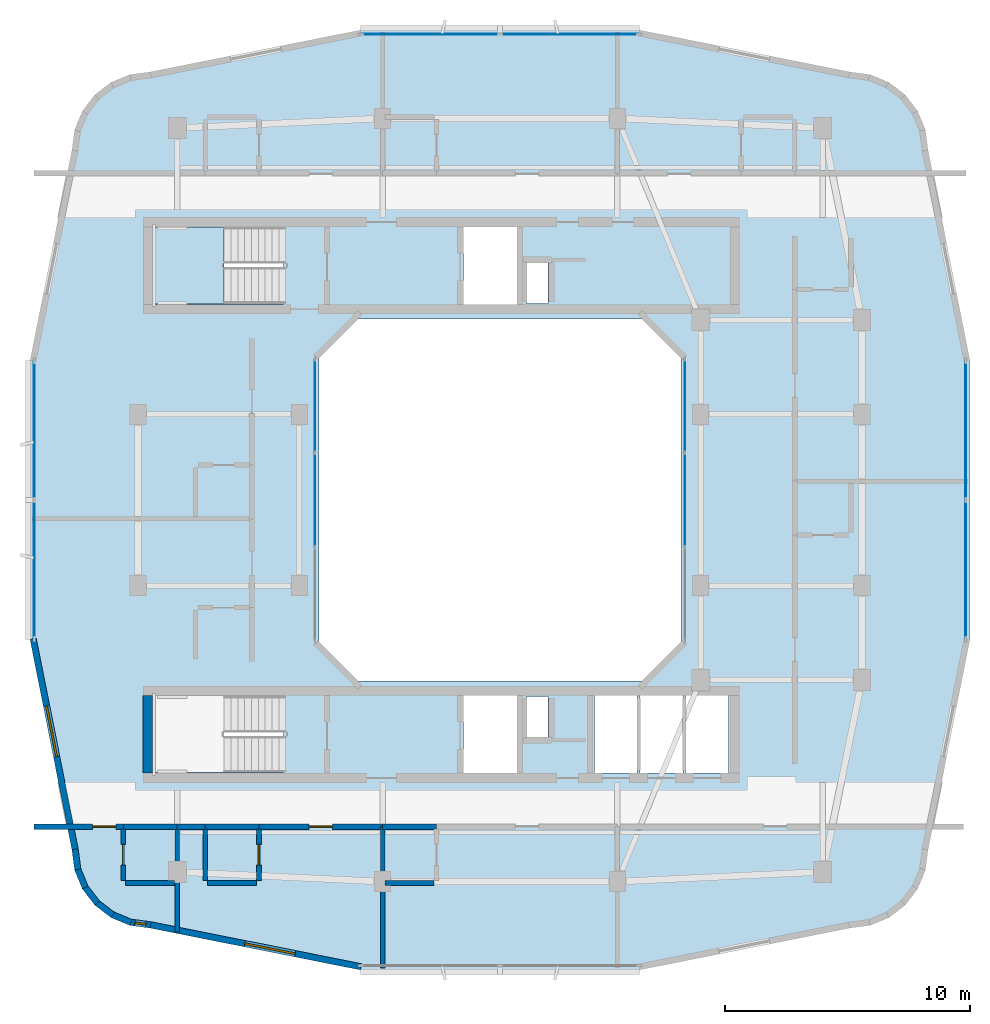
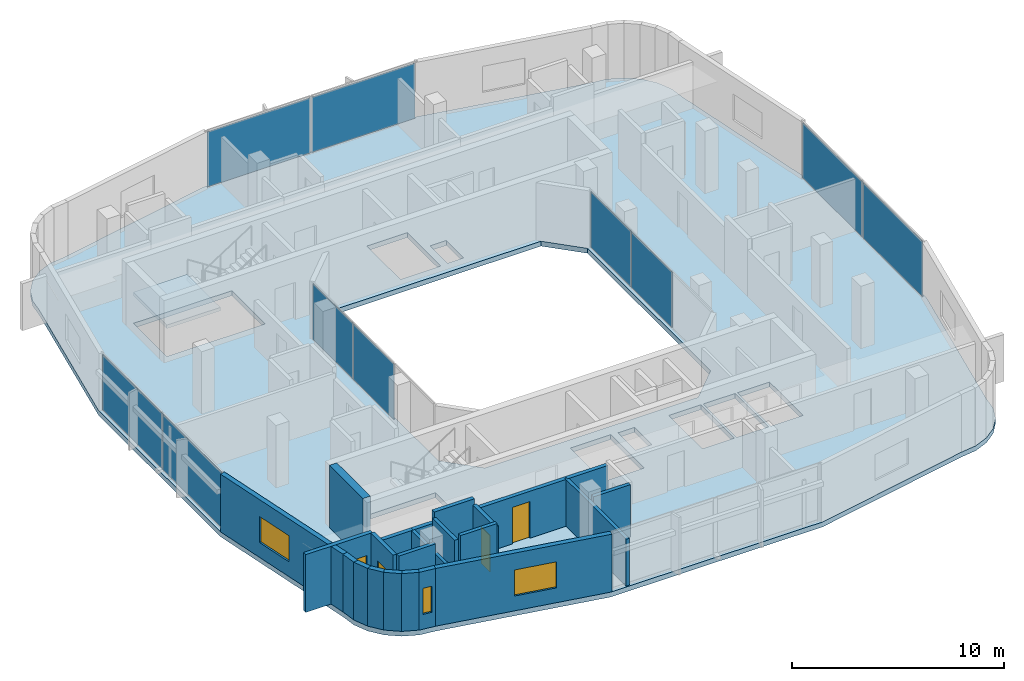
# One storey, part 6 of 14: 23 walls, 10 plates, 4 doors, 3 windows, 2 slabs, 7 openings, 6 elements without a shape of their own.
"""IFC4 building model written with IfcOpenShell, lengths in metres."""

from ifc_helpers import new_model, si_unit, derived_unit, direction, frame, frame_2d, origin, origin_2d, place, context, subcontext, project, spatial, polyline, rectangle, outline, extrude, material, layer, layer_set, type_object, element, fill, aggregate, save


model = new_model("IFC4")

# Units and contexts
model_context = context("Model", 3, precision=1e-05, world=origin(), true_north=direction((0.0, 1.0)))
body_context = subcontext(model_context, "Body", "Model", "MODEL_VIEW")
ifc_project = project(units=[si_unit("LENGTHUNIT", "METRE"), si_unit("AREAUNIT", "SQUARE_METRE"), si_unit("VOLUMEUNIT", "CUBIC_METRE"), si_unit("PLANEANGLEUNIT", "RADIAN"), si_unit("MASSUNIT", "GRAM", prefix="KILO"), derived_unit("THERMALTRANSMITTANCEUNIT", [(si_unit("POWERUNIT", "WATT"), 1), (si_unit("LENGTHUNIT", "METRE"), -2), (si_unit("THERMODYNAMICTEMPERATUREUNIT", "KELVIN"), -1)])], contexts=[model_context])

# Site, building, storey
site_placement = place(None, origin())
site = spatial("IfcSite", under=ifc_project, at=site_placement, CompositionType="ELEMENT")
building_placement = place(site_placement, origin())
building = spatial("IfcBuilding", under=site, at=building_placement, Name="Kivonza Crest Hotel", CompositionType="ELEMENT")
storey_placement = place(building_placement, frame((0.0, 0.0, 217.10009765625)))
storey = spatial("IfcBuildingStorey", under=building, at=storey_placement, Name="L59", CompositionType="ELEMENT", Elevation=217.10009765625)

# Curtain wall, plates
ifc_material_1 = material(Name="Anodised bronze aluminium and low-E double glazing", Category="aluminium")
ifc_layer_1 = layer(ifc_material_1, 0.159912109375)
ifc_layer_set_1 = layer_set([ifc_layer_1], Name="Anodised bronze aluminium and low-E double glazing")
curtain_wall_type_1 = type_object("IfcCurtainWallType", Name="CW-SYS-5", PredefinedType="NOTDEFINED", material=ifc_layer_set_1)
curtain_wall_1_placement = place(storey_placement, origin())
curtain_wall_1 = element("IfcCurtainWall", 1, at=curtain_wall_1_placement, inside=storey, type_object=curtain_wall_type_1, Name="L59 unitised curtain wall CW-WELL-T1-L59-3", PredefinedType="NOTDEFINED")
ifc_material_2 = material(Name="Solar-control low-E double glazing", Category="glass")
ifc_layer_2 = layer(ifc_material_2, 0.028076171875)
ifc_layer_set_2 = layer_set([ifc_layer_2], Name="Solar-control low-E double glazing")
plate_type_1 = type_object("IfcPlateType", Name="CW-PNL-28", PredefinedType="CURTAIN_PANEL", material=ifc_layer_set_2)
plate_1_placement = place(storey_placement, frame((28.56005859375, 25.0, 0.06494140625), z_axis=(0.0, 0.0, 1.0), x_axis=(0.0, 1.0, 0.0)))
plate_1 = element("IfcPlate", 2, at=plate_1_placement, type_object=plate_type_1, Name="CW-5 panel 2.1", PredefinedType="CURTAIN_PANEL", context=body_context, shape_type="SweptSolid", body=[
    extrude(rectangle(XDim=3.8017578125, YDim=0.028076171875, at=origin_2d()), origin(), (0.0, 0.0, 1.0), 3.18994140625),
])
plate_2_placement = place(storey_placement, frame((28.56005859375, 28.850341796875, 0.06494140625), z_axis=(0.0, 0.0, 1.0), x_axis=(0.0, 1.0, 0.0)))
plate_2 = element("IfcPlate", 3, at=plate_2_placement, type_object=plate_type_1, Name="CW-5 panel 3.1", PredefinedType="CURTAIN_PANEL", context=body_context, shape_type="SweptSolid", body=[
    extrude(rectangle(XDim=3.769287109375, YDim=0.028076171875, at=origin_2d()), origin(), (0.0, 0.0, 1.0), 3.18994140625),
])
aggregate(curtain_wall_1, [plate_1, plate_2])

curtain_wall_2_placement = place(storey_placement, origin())
curtain_wall_2 = element("IfcCurtainWall", 4, at=curtain_wall_2_placement, inside=storey, type_object=curtain_wall_type_1, Name="L59 unitised curtain wall CW-WELL-T1-L59-7", PredefinedType="NOTDEFINED")
plate_3_placement = place(storey_placement, frame((13.43994140625, 28.850341796875, 0.06494140625), z_axis=(0.0, 0.0, 1.0), x_axis=(0.0, -1.0, 0.0)))
plate_3 = element("IfcPlate", 5, at=plate_3_placement, type_object=plate_type_1, Name="CW-5 panel 1.1", PredefinedType="CURTAIN_PANEL", context=body_context, shape_type="SweptSolid", body=[
    extrude(rectangle(XDim=3.769287109375, YDim=0.028076171875, at=origin_2d()), origin(), (0.0, 0.0, 1.0), 3.18994140625),
])
plate_4_placement = place(storey_placement, frame((13.43994140625, 25.0, 0.06494140625), z_axis=(0.0, 0.0, 1.0), x_axis=(0.0, -1.0, 0.0)))
plate_4 = element("IfcPlate", 6, at=plate_4_placement, type_object=plate_type_1, Name="CW-5 panel 2.1", PredefinedType="CURTAIN_PANEL", context=body_context, shape_type="SweptSolid", body=[
    extrude(rectangle(XDim=3.8017578125, YDim=0.028076171875, at=origin_2d()), origin(), (0.0, 0.0, 1.0), 3.18994140625),
])
aggregate(curtain_wall_2, [plate_3, plate_4])

ifc_layer_3 = layer(ifc_material_1, 0.179931640625)
ifc_layer_set_3 = layer_set([ifc_layer_3], Name="Anodised bronze aluminium and low-E double glazing")
curtain_wall_type_2 = type_object("IfcCurtainWallType", Name="CW-SYS-3", PredefinedType="NOTDEFINED", material=ifc_layer_set_3)
curtain_wall_3_placement = place(storey_placement, origin())
curtain_wall_3 = element("IfcCurtainWall", 7, at=curtain_wall_3_placement, inside=storey, type_object=curtain_wall_type_2, Name="L59 unitised curtain wall CW-T1-L59-17", PredefinedType="NOTDEFINED")
ifc_material_3 = material(Name="Acoustic triple-laminated low-E glazing", Category="glass")
ifc_layer_4 = layer(ifc_material_3, 0.035888671875)
ifc_layer_set_4 = layer_set([ifc_layer_4], Name="Acoustic triple-laminated low-E glazing")
plate_type_2 = type_object("IfcPlateType", Name="CW-PNL-36", PredefinedType="CURTAIN_PANEL", material=ifc_layer_set_4)
plate_5_placement = place(storey_placement, frame((40.0400390625, 22.15869140625, 0.074951171875), z_axis=(0.0, 0.0, 1.0), x_axis=(0.0, 1.0, 0.0)))
plate_5 = element("IfcPlate", 8, at=plate_5_placement, type_object=plate_type_2, Name="CW-3 panel 1.1", PredefinedType="CURTAIN_PANEL", context=body_context, shape_type="SweptSolid", body=[
    extrude(rectangle(XDim=5.607421875, YDim=0.035888671875, at=origin_2d()), origin(), (0.0, 0.0, 1.0), 3.169921875),
])
plate_6_placement = place(storey_placement, frame((40.0400390625, 27.84130859375, 0.074951171875), z_axis=(0.0, 0.0, 1.0), x_axis=(0.0, 1.0, 0.0)))
plate_6 = element("IfcPlate", 9, at=plate_6_placement, type_object=plate_type_2, Name="CW-3 panel 2.1", PredefinedType="CURTAIN_PANEL", context=body_context, shape_type="SweptSolid", body=[
    extrude(rectangle(XDim=5.607421875, YDim=0.035888671875, at=origin_2d()), origin(), (0.0, 0.0, 1.0), 3.169921875),
])
aggregate(curtain_wall_3, [plate_5, plate_6])

curtain_wall_4_placement = place(storey_placement, origin())
curtain_wall_4 = element("IfcCurtainWall", 10, at=curtain_wall_4_placement, inside=storey, type_object=curtain_wall_type_2, Name="L59 unitised curtain wall CW-T1-L59-26", PredefinedType="NOTDEFINED")
plate_7_placement = place(storey_placement, frame((23.84130859375, 44.0400390625, 0.074951171875), z_axis=(0.0, 0.0, 1.0), x_axis=(-1.0, 0.0, 0.0)))
plate_7 = element("IfcPlate", 11, at=plate_7_placement, type_object=plate_type_2, Name="CW-3 panel 1.1", PredefinedType="CURTAIN_PANEL", context=body_context, shape_type="SweptSolid", body=[
    extrude(rectangle(XDim=5.607421875, YDim=0.035888671875, at=origin_2d()), origin(), (0.0, 0.0, 1.0), 3.169921875),
])
plate_8_placement = place(storey_placement, frame((18.15869140625, 44.0400390625, 0.074951171875), z_axis=(0.0, 0.0, 1.0), x_axis=(-1.0, 0.0, 0.0)))
plate_8 = element("IfcPlate", 12, at=plate_8_placement, type_object=plate_type_2, Name="CW-3 panel 2.1", PredefinedType="CURTAIN_PANEL", context=body_context, shape_type="SweptSolid", body=[
    extrude(rectangle(XDim=5.607421875, YDim=0.035888671875, at=origin_2d()), origin(), (0.0, 0.0, 1.0), 3.169921875),
])
aggregate(curtain_wall_4, [plate_7, plate_8])

curtain_wall_5_placement = place(storey_placement, origin())
curtain_wall_5 = element("IfcCurtainWall", 13, at=curtain_wall_5_placement, inside=storey, type_object=curtain_wall_type_2, Name="L59 unitised curtain wall CW-T1-L59-35", PredefinedType="NOTDEFINED")
plate_9_placement = place(storey_placement, frame((1.9599609375, 27.84130859375, 0.074951171875), z_axis=(0.0, 0.0, 1.0), x_axis=(0.0, -1.0, 0.0)))
plate_9 = element("IfcPlate", 14, at=plate_9_placement, type_object=plate_type_2, Name="CW-3 panel 1.1", PredefinedType="CURTAIN_PANEL", context=body_context, shape_type="SweptSolid", body=[
    extrude(rectangle(XDim=5.607421875, YDim=0.035888671875, at=origin_2d()), origin(), (0.0, 0.0, 1.0), 3.169921875),
])
plate_10_placement = place(storey_placement, frame((1.9599609375, 22.15869140625, 0.074951171875), z_axis=(0.0, 0.0, 1.0), x_axis=(0.0, -1.0, 0.0)))
plate_10 = element("IfcPlate", 15, at=plate_10_placement, type_object=plate_type_2, Name="CW-3 panel 2.1", PredefinedType="CURTAIN_PANEL", context=body_context, shape_type="SweptSolid", body=[
    extrude(rectangle(XDim=5.607421875, YDim=0.035888671875, at=origin_2d()), origin(), (0.0, 0.0, 1.0), 3.169921875),
])
aggregate(curtain_wall_5, [plate_9, plate_10])

# Slab
ifc_material_4 = material(Name="Concrete C40/50", Category="concrete")
ifc_layer_5 = layer(ifc_material_4, 0.280029296875)
ifc_layer_set_5 = layer_set([ifc_layer_5], Name="Concrete C40/50")
slab_type_1 = type_object("IfcSlabType", Name="SL-HTL-280", PredefinedType="FLOOR", material=ifc_layer_set_5)
slab_1_placement = place(storey_placement, frame((0.0, 0.0, -0.280029296875)))
element("IfcSlab", 16, at=slab_1_placement, inside=storey, type_object=slab_type_1, Name="Tower T1 L59 floor slab", PredefinedType="FLOOR", context=body_context, shape_type="SweptSolid", body=[
    extrude(outline(polyline([(3.5, 10.699951171875), (3.60888671875, 9.8720703125), (3.928955078125, 9.10009765625), (4.43701171875, 8.43701171875), (5.10009765625, 7.928955078125), (5.8720703125, 7.60888671875), (6.699951171875, 7.5), (15.239990234375, 5.800048828125), (26.760009765625, 5.800048828125), (35.300048828125, 7.5), (36.1279296875, 7.60888671875), (36.89990234375, 7.928955078125), (37.56298828125, 8.43701171875), (38.071044921875, 9.10009765625), (38.39111328125, 9.8720703125), (38.5, 10.699951171875), (40.199951171875, 19.239990234375), (40.199951171875, 30.760009765625), (38.5, 39.300048828125), (38.39111328125, 40.1279296875), (38.071044921875, 40.89990234375), (37.56298828125, 41.56298828125), (36.89990234375, 42.071044921875), (36.1279296875, 42.39111328125), (35.300048828125, 42.5), (26.760009765625, 44.199951171875), (15.239990234375, 44.199951171875), (6.699951171875, 42.5), (5.8720703125, 42.39111328125), (5.10009765625, 42.071044921875), (4.43701171875, 41.56298828125), (3.928955078125, 40.89990234375), (3.60888671875, 40.1279296875), (3.5, 39.300048828125), (1.800048828125, 30.760009765625), (1.800048828125, 19.239990234375), (3.5, 10.699951171875)]), holes=[polyline([(15.199951171875, 17.60009765625), (26.800048828125, 17.60009765625), (28.39990234375, 19.199951171875), (28.39990234375, 30.800048828125), (26.800048828125, 32.39990234375), (15.199951171875, 32.39990234375), (13.60009765625, 30.800048828125), (13.60009765625, 19.199951171875), (15.199951171875, 17.60009765625)]), polyline([(6.800048828125, 33.02001953125), (12.159912109375, 33.02001953125), (12.159912109375, 36.159912109375), (6.800048828125, 36.159912109375), (6.800048828125, 33.02001953125)]), polyline([(6.800048828125, 13.860107421875), (12.159912109375, 13.860107421875), (12.159912109375, 17.0), (6.800048828125, 17.0), (6.800048828125, 13.860107421875)]), polyline([(22.080078125, 33.0400390625), (22.969970703125, 33.0400390625), (22.969970703125, 34.679931640625), (22.080078125, 34.679931640625), (22.080078125, 33.0400390625)]), polyline([(22.080078125, 15.320068359375), (22.969970703125, 15.320068359375), (22.969970703125, 16.9599609375), (22.080078125, 16.9599609375), (22.080078125, 15.320068359375)]), polyline([(19.5, 33.0), (21.699951171875, 33.0), (21.699951171875, 36.159912109375), (19.5, 36.159912109375), (19.5, 33.0)]), polyline([(19.5, 13.840087890625), (21.699951171875, 13.840087890625), (21.699951171875, 17.0), (19.5, 17.0), (19.5, 13.840087890625)]), polyline([(24.860107421875, 13.840087890625), (26.60693359375, 13.840087890625), (26.60693359375, 17.0), (24.860107421875, 17.0), (24.860107421875, 13.840087890625)]), polyline([(26.72705078125, 13.840087890625), (28.472900390625, 13.840087890625), (28.472900390625, 17.0), (26.72705078125, 17.0), (26.72705078125, 13.840087890625)]), polyline([(28.593017578125, 13.840087890625), (30.340087890625, 13.840087890625), (30.340087890625, 17.0), (28.593017578125, 17.0), (28.593017578125, 13.840087890625)])]), origin(), (0.0, 0.0, 1.0), 0.280029296875),
])

# Stair, slab
stair_type = type_object("IfcStairType", Name="ST-DL-20R", PredefinedType="HALF_TURN_STAIR", material=ifc_material_4)
stair_placement = place(storey_placement, origin())
stair = element("IfcStair", 17, at=stair_placement, inside=storey, type_object=stair_type, Name="L59 Protected Exit Stair ST-T1-N", PredefinedType="HALF_TURN_STAIR")
ifc_layer_6 = layer(ifc_material_4, 0.199951171875)
ifc_layer_set_6 = layer_set([ifc_layer_6], Name="Concrete C40/50")
slab_type_2 = type_object("IfcSlabType", Name="SL-LAND-200", PredefinedType="LANDING", material=ifc_layer_set_6)
slab_2_placement = place(storey_placement, frame((0.0, 0.0, 1.599853515625)))
slab_2 = element("IfcSlab", 18, at=slab_2_placement, type_object=slab_type_2, Name="ST-T1-N landing 1", PredefinedType="LANDING", context=body_context, shape_type="SweptSolid", body=[
    extrude(outline(polyline([(9.719970703125, 36.159912109375), (6.800048828125, 36.159912109375), (6.800048828125, 33.02001953125), (9.719970703125, 33.02001953125), (9.719970703125, 36.159912109375)])), origin(), (0.0, 0.0, 1.0), 0.199951171875),
])
aggregate(stair, [slab_2])

# Walls
ifc_material_5 = material(Name="High-density acoustic masonry inter-tenancy wall", Category="masonry")
ifc_layer_7 = layer(ifc_material_5, 0.179931640625)
ifc_layer_set_7 = layer_set([ifc_layer_7], Name="High-density acoustic masonry inter-tenancy wall")
wall_type_1 = type_object("IfcWallType", Name="WL-ACOU-180", PredefinedType="SOLIDWALL", material=ifc_layer_set_7)
wall_1_placement = place(storey_placement, frame((7.800048828125, 7.342041015625, 0.0), z_axis=(0.0, 0.0, 1.0), x_axis=(0.0, 1.0, 0.0)))
element("IfcWall", 19, at=wall_1_placement, inside=storey, type_object=wall_type_1, Name="L59 interior partition WA-L59-T1S-DIV1", PredefinedType="SOLIDWALL", context=body_context, shape_type="SweptSolid", body=[
    extrude(rectangle(XDim=4.307861328125, YDim=0.179931640625, at=frame_2d((2.15380859375, 0.0))), origin(), (0.0, 0.0, 1.0), 2.69482421875),
])
wall_2_placement = place(storey_placement, frame((16.199951171875, 5.860107421875, 0.0), z_axis=(0.0, 0.0, 1.0), x_axis=(0.0, 1.0, 0.0)))
element("IfcWall", 20, at=wall_2_placement, inside=storey, type_object=wall_type_1, Name="L59 interior partition WA-L59-T1S-DIV2", PredefinedType="SOLIDWALL", context=body_context, shape_type="SweptSolid", body=[
    extrude(rectangle(XDim=5.789794921875, YDim=0.179931640625, at=frame_2d((2.89501953125, 0.0))), origin(), (0.0, 0.0, 1.0), 2.69482421875),
])
ifc_material_6 = material(Name="Autoclaved aerated concrete blockwork", Category="masonry")
ifc_layer_8 = layer(ifc_material_6, 0.219970703125)
ifc_layer_set_8 = layer_set([ifc_layer_8], Name="Autoclaved aerated concrete blockwork")
wall_type_2 = type_object("IfcWallType", Name="WL-ACOU-220", PredefinedType="SOLIDWALL", material=ifc_layer_set_8)
wall_3_placement = place(storey_placement, frame((5.60009765625, 11.64990234375, 0.0), z_axis=(0.0, 0.0, 1.0), x_axis=(1.0, 0.0, 0.0)))
element("IfcWall", 21, at=wall_3_placement, inside=storey, type_object=wall_type_2, Name="L59 interior partition WA-L59-S04-BCORR", PredefinedType="SOLIDWALL", context=body_context, shape_type="SweptSolid", body=[
    extrude(rectangle(XDim=2.199951171875, YDim=0.219970703125, at=frame_2d((1.10009765625, 0.0))), origin(), (0.0, 0.0, 1.0), 2.69482421875),
])

# Wall, opening, door
wall_4_placement = place(storey_placement, frame((1.9599609375, 11.64990234375, 0.0), z_axis=(0.0, 0.0, 1.0), x_axis=(1.0, 0.0, 0.0)))
wall_4 = element("IfcWall", 22, at=wall_4_placement, inside=storey, type_object=wall_type_2, Name="L59 interior partition WA-L59-S04-MCORR", PredefinedType="SOLIDWALL", context=body_context, shape_type="SweptSolid", body=[
    extrude(rectangle(XDim=3.64013671875, YDim=0.219970703125, at=frame_2d((1.820068359375, 0.0))), origin(), (0.0, 0.0, 1.0), 3.31982421875),
])
opening_1_placement = place(wall_4_placement, frame((2.389892578125, 0.0, 0.0)))
opening_1 = element("IfcOpeningElement", 23, at=opening_1_placement, cuts=wall_4, Name="Opening DU-60", PredefinedType="OPENING", context=body_context, shape_type="SweptSolid", body=[
    extrude(rectangle(XDim=0.949951171875, YDim=2.10009765625, at=frame_2d((0.47509765625, 1.050048828125))), frame((0.0, 0.1201171875, 0.0), z_axis=(0.0, -1.0, 0.0), x_axis=(1.0, 0.0, 0.0)), (0.0, 0.0, 1.0), 0.239990234375),
])
ifc_material_7 = material(Name="Hardwood timber oak", Category="wood")
door_type_1 = type_object("IfcDoorType", Name="DR-UNIT-950", OperationType="NOTDEFINED", PredefinedType="DOOR", material=ifc_material_7)
door_1_placement = place(opening_1_placement, frame((0.949951171875, 0.0, 0.0), z_axis=(0.0, 0.0, 1.0), x_axis=(-1.0, 0.0, 0.0)))
door_1 = element("IfcDoor", 24, at=door_1_placement, inside=storey, type_object=door_type_1, Name="L59 S04 guest unit entrance fire door", OperationType="SINGLE_SWING_RIGHT", OverallHeight=2.10009765625, OverallWidth=0.949951171875, PredefinedType="DOOR", context=body_context, shape_type="SweptSolid", body=[
    extrude(rectangle(XDim=0.949951171875, YDim=2.10009765625, at=frame_2d((0.47509765625, 1.050048828125))), frame((0.0, 0.02490234375, 0.0), z_axis=(0.0, -1.0, 0.0), x_axis=(1.0, 0.0, 0.0)), (0.0, 0.0, 1.0), 0.050048828125),
])
fill(opening_1, door_1)

# Walls
wall_5_placement = place(storey_placement, frame((7.800048828125, 11.64990234375, 0.0), z_axis=(0.0, 0.0, 1.0), x_axis=(1.0, 0.0, 0.0)))
element("IfcWall", 25, at=wall_5_placement, inside=storey, type_object=wall_type_2, Name="L59 interior partition WA-L59-S05-XCORR", PredefinedType="SOLIDWALL", context=body_context, shape_type="SweptSolid", body=[
    extrude(rectangle(XDim=1.14990234375, YDim=0.219970703125, at=frame_2d((0.574951171875, 0.0))), origin(), (0.0, 0.0, 1.0), 2.69482421875),
])
wall_6_placement = place(storey_placement, frame((8.949951171875, 11.64990234375, 0.0), z_axis=(0.0, 0.0, 1.0), x_axis=(1.0, 0.0, 0.0)))
element("IfcWall", 26, at=wall_6_placement, inside=storey, type_object=wall_type_2, Name="L59 interior partition WA-L59-S05-BCORR", PredefinedType="SOLIDWALL", context=body_context, shape_type="SweptSolid", body=[
    extrude(rectangle(XDim=2.199951171875, YDim=0.219970703125, at=frame_2d((1.10009765625, 0.0))), origin(), (0.0, 0.0, 1.0), 3.31982421875),
])

# Wall, opening, door
wall_7_placement = place(storey_placement, frame((11.14990234375, 11.64990234375, 0.0), z_axis=(0.0, 0.0, 1.0), x_axis=(1.0, 0.0, 0.0)))
wall_7 = element("IfcWall", 27, at=wall_7_placement, inside=storey, type_object=wall_type_2, Name="L59 interior partition WA-L59-S05-MCORR", PredefinedType="SOLIDWALL", context=body_context, shape_type="SweptSolid", body=[
    extrude(rectangle(XDim=5.050048828125, YDim=0.219970703125, at=frame_2d((2.52490234375, 0.0))), origin(), (0.0, 0.0, 1.0), 2.69482421875),
])
opening_2_placement = place(wall_7_placement, frame((2.050048828125, 0.0, 0.0)))
opening_2 = element("IfcOpeningElement", 28, at=opening_2_placement, cuts=wall_7, Name="Opening DU-60", PredefinedType="OPENING", context=body_context, shape_type="SweptSolid", body=[
    extrude(rectangle(XDim=0.949951171875, YDim=2.10009765625, at=frame_2d((0.47509765625, 1.050048828125))), frame((0.0, 0.1201171875, 0.0), z_axis=(0.0, -1.0, 0.0), x_axis=(1.0, 0.0, 0.0)), (0.0, 0.0, 1.0), 0.239990234375),
])
door_2_placement = place(opening_2_placement, frame((0.949951171875, 0.0, 0.0), z_axis=(0.0, 0.0, 1.0), x_axis=(-1.0, 0.0, 0.0)))
door_2 = element("IfcDoor", 29, at=door_2_placement, inside=storey, type_object=door_type_1, Name="L59 S05 guest unit entrance fire door", OperationType="SINGLE_SWING_LEFT", OverallHeight=2.10009765625, OverallWidth=0.949951171875, PredefinedType="DOOR", context=body_context, shape_type="SweptSolid", body=[
    extrude(rectangle(XDim=0.949951171875, YDim=2.10009765625, at=frame_2d((0.47509765625, 1.050048828125))), frame((0.0, 0.02490234375, 0.0), z_axis=(0.0, -1.0, 0.0), x_axis=(1.0, 0.0, 0.0)), (0.0, 0.0, 1.0), 0.050048828125),
])
fill(opening_2, door_2)

# Walls
wall_8_placement = place(storey_placement, frame((16.199951171875, 11.64990234375, 0.0), z_axis=(0.0, 0.0, 1.0), x_axis=(1.0, 0.0, 0.0)))
element("IfcWall", 30, at=wall_8_placement, inside=storey, type_object=wall_type_2, Name="L59 interior partition WA-L59-S06-BCORR", PredefinedType="SOLIDWALL", context=body_context, shape_type="SweptSolid", body=[
    extrude(rectangle(XDim=2.199951171875, YDim=0.219970703125, at=frame_2d((1.10009765625, 0.0))), origin(), (0.0, 0.0, 1.0), 2.69482421875),
])
ifc_material_8 = material(Name="Concrete C50/60", Category="concrete")
ifc_layer_9 = layer(ifc_material_8, 0.39990234375)
ifc_layer_set_9 = layer_set([ifc_layer_9], Name="Concrete C50/60")
wall_type_3 = type_object("IfcWallType", Name="WL-CORE-400", PredefinedType="SHEAR", material=ifc_layer_set_9)
wall_9_placement = place(storey_placement, frame((6.60009765625, 13.840087890625, 0.0), z_axis=(0.0, 0.0, 1.0), x_axis=(0.0, 1.0, 0.0)))
element("IfcWall", 31, at=wall_9_placement, inside=storey, type_object=wall_type_3, Name="Core wall T1-S West L59", PredefinedType="SHEAR", context=body_context, shape_type="SweptSolid", body=[
    extrude(rectangle(XDim=3.159912109375, YDim=0.39990234375, at=frame_2d((1.580078125, 0.0))), origin(), (0.0, 0.0, 1.0), 3.599853515625),
])
ifc_material_9 = material(Name="Precast concrete C40/50", Category="concrete")
ifc_layer_10 = layer(ifc_material_9, 0.260009765625)
ifc_layer_set_10 = layer_set([ifc_layer_10], Name="Precast concrete C40/50")
wall_type_4 = type_object("IfcWallType", Name="WL-EXT-260", PredefinedType="STANDARD", material=ifc_layer_set_10)
wall_10_placement = place(storey_placement, frame((3.6279296875, 10.72509765625, 0.0), z_axis=(0.0, 0.0, 1.0), x_axis=(0.130954667764, -0.9913883573, 0.0)))
element("IfcWall", 32, at=wall_10_placement, inside=storey, type_object=wall_type_4, Name="L59 T1 exterior insulated wall 1", PredefinedType="STANDARD", context=body_context, shape_type="SweptSolid", body=[
    extrude(rectangle(XDim=0.833251953125, YDim=0.260009765625, at=frame_2d((0.41650390625, 0.0))), origin(), (0.0, 0.0, 1.0), 3.31982421875),
])
wall_11_placement = place(storey_placement, frame((3.718994140625, 9.945068359375, 0.0), z_axis=(0.0, 0.0, 1.0), x_axis=(0.382985169477, -0.923754491172, 0.0)))
element("IfcWall", 33, at=wall_11_placement, inside=storey, type_object=wall_type_4, Name="L59 T1 exterior insulated wall 2", PredefinedType="STANDARD", context=body_context, shape_type="SweptSolid", body=[
    extrude(rectangle(XDim=0.85107421875, YDim=0.260009765625, at=frame_2d((0.425537109375, 0.0))), origin(), (0.0, 0.0, 1.0), 3.31982421875),
])
for number, where, z_axis, x_axis, name in (
    (34, (4.01708984375, 9.198974609375, 0.0), (0.0, 0.0, 1.0), (0.607918988881, -0.793999057278, 0.0), "L59 T1 exterior insulated wall 3"),
    (35, (4.49609375, 8.554931640625, 0.0), (0.0, 0.0, 1.0), (0.793892896323, -0.608057619941, 0.0), "L59 T1 exterior insulated wall 4"),
):
    element("IfcWall", number, at=place(storey_placement, frame(where, z_axis=z_axis, x_axis=x_axis)), inside=storey, type_object=wall_type_4, Name=name, PredefinedType="STANDARD", context=body_context, shape_type="SweptSolid", body=[
        extrude(rectangle(XDim=0.85009765625, YDim=0.260009765625, at=frame_2d((0.425048828125, 0.0))), origin(), (0.0, 0.0, 1.0), 3.31982421875),
    ])
wall_12_placement = place(storey_placement, frame((5.126953125, 8.05908203125, 0.0), z_axis=(0.0, 0.0, 1.0), x_axis=(0.923652976167, -0.383229930484, 0.0)))
element("IfcWall", 36, at=wall_12_placement, inside=storey, type_object=wall_type_4, Name="L59 T1 exterior insulated wall 5", PredefinedType="STANDARD", context=body_context, shape_type="SweptSolid", body=[
    extrude(rectangle(XDim=0.85107421875, YDim=0.260009765625, at=frame_2d((0.425537109375, 0.0))), origin(), (0.0, 0.0, 1.0), 3.31982421875),
])

# Wall, opening, window
wall_13_placement = place(storey_placement, frame((5.864013671875, 7.740966796875, 0.0), z_axis=(0.0, 0.0, 1.0), x_axis=(0.991493480548, -0.130156359936, 0.0)))
wall_13 = element("IfcWall", 37, at=wall_13_placement, inside=storey, type_object=wall_type_4, Name="L59 T1 exterior insulated wall 6", PredefinedType="STANDARD", context=body_context, shape_type="SweptSolid", body=[
    extrude(rectangle(XDim=0.868408203125, YDim=0.260009765625, at=frame_2d((0.43408203125, 0.0))), origin(), (0.0, 0.0, 1.0), 3.31982421875),
])
opening_3_placement = place(wall_13_placement, frame((0.208984375, 0.0, 0.85009765625)))
opening_3 = element("IfcOpeningElement", 38, at=opening_3_placement, cuts=wall_13, Name="Opening WN-11", PredefinedType="OPENING", context=body_context, shape_type="SweptSolid", body=[
    extrude(rectangle(XDim=0.449951171875, YDim=1.5, at=frame_2d((0.22509765625, 0.75))), frame((0.0, 0.14013671875, 0.0), z_axis=(0.0, -1.0, 0.0), x_axis=(1.0, 0.0, 0.0)), (0.0, 0.0, 1.0), 0.280029296875),
])
ifc_material_10 = material(Name="Thermally broken bronze aluminium and low-E double glazing", Category="aluminium")
window_type_1 = type_object("IfcWindowType", Name="WN-045x150", PartitioningType="SINGLE_PANEL", PredefinedType="WINDOW", material=ifc_material_10)
window_1_placement = place(opening_3_placement, origin())
window_1 = element("IfcWindow", 39, at=window_1_placement, inside=storey, type_object=window_type_1, Name="L59 corner vision window 1", OverallHeight=1.5, OverallWidth=0.449951171875, PartitioningType="SINGLE_PANEL", PredefinedType="WINDOW", context=body_context, shape_type="SweptSolid", body=[
    extrude(rectangle(XDim=0.449951171875, YDim=1.5, at=frame_2d((0.22509765625, 0.75))), frame((0.0, 0.030029296875, 0.0), z_axis=(0.0, -1.0, 0.0), x_axis=(1.0, 0.0, 0.0)), (0.0, 0.0, 1.0), 0.06005859375),
])
fill(opening_3, window_1)

wall_14_placement = place(storey_placement, frame((6.717041015625, 7.62890625, 0.0), z_axis=(0.0, 0.0, 1.0), x_axis=(0.980745199176, -0.195291715883, 0.0)))
wall_14 = element("IfcWall", 40, at=wall_14_placement, inside=storey, type_object=wall_type_4, Name="L59 T1 exterior insulated wall 7", PredefinedType="STANDARD", context=body_context, shape_type="SweptSolid", body=[
    extrude(rectangle(XDim=8.77099609375, YDim=0.260009765625, at=frame_2d((4.385498046875, 0.0))), origin(), (0.0, 0.0, 1.0), 3.31982421875),
])
opening_4_placement = place(wall_14_placement, frame((3.925048828125, 0.0, 0.85009765625)))
opening_4 = element("IfcOpeningElement", 41, at=opening_4_placement, cuts=wall_14, Name="Opening WN-04", PredefinedType="OPENING", context=body_context, shape_type="SweptSolid", body=[
    extrude(rectangle(XDim=2.10009765625, YDim=1.5, at=frame_2d((1.050048828125, 0.75))), frame((0.0, 0.14013671875, 0.0), z_axis=(0.0, -1.0, 0.0), x_axis=(1.0, 0.0, 0.0)), (0.0, 0.0, 1.0), 0.280029296875),
])
window_type_2 = type_object("IfcWindowType", Name="WN-210x150", PartitioningType="DOUBLE_PANEL_VERTICAL", PredefinedType="WINDOW", material=ifc_material_10)
window_2_placement = place(opening_4_placement, origin())
window_2 = element("IfcWindow", 42, at=window_2_placement, inside=storey, type_object=window_type_2, Name="L59 T1 facade window 7", OverallHeight=1.5, OverallWidth=2.10009765625, PartitioningType="SINGLE_PANEL", PredefinedType="WINDOW", context=body_context, shape_type="SweptSolid", body=[
    extrude(rectangle(XDim=2.10009765625, YDim=1.5, at=frame_2d((1.050048828125, 0.75))), frame((0.0, 0.030029296875, 0.0), z_axis=(0.0, -1.0, 0.0), x_axis=(1.0, 0.0, 0.0)), (0.0, 0.0, 1.0), 0.06005859375),
])
fill(opening_4, window_2)

wall_15_placement = place(storey_placement, frame((1.916015625, 19.319091796875, 0.0), z_axis=(0.0, 0.0, 1.0), x_axis=(0.195291715883, -0.980745199176, 0.0)))
wall_15 = element("IfcWall", 43, at=wall_15_placement, inside=storey, type_object=wall_type_4, Name="L59 T1 exterior insulated wall 36", PredefinedType="STANDARD", context=body_context, shape_type="SweptSolid", body=[
    extrude(rectangle(XDim=8.77099609375, YDim=0.260009765625, at=frame_2d((4.385498046875, 0.0))), origin(), (0.0, 0.0, 1.0), 3.31982421875),
])
opening_5_placement = place(wall_15_placement, frame((2.798095703125, 0.0, 0.85009765625)))
opening_5 = element("IfcOpeningElement", 44, at=opening_5_placement, cuts=wall_15, Name="Opening WN-04", PredefinedType="OPENING", context=body_context, shape_type="SweptSolid", body=[
    extrude(rectangle(XDim=2.10009765625, YDim=1.5, at=frame_2d((1.050048828125, 0.75))), frame((0.0, 0.14013671875, 0.0), z_axis=(0.0, -1.0, 0.0), x_axis=(1.0, 0.0, 0.0)), (0.0, 0.0, 1.0), 0.280029296875),
])
window_3_placement = place(opening_5_placement, origin())
window_3 = element("IfcWindow", 45, at=window_3_placement, inside=storey, type_object=window_type_2, Name="L59 T1 facade window 36", OverallHeight=1.5, OverallWidth=2.10009765625, PartitioningType="SINGLE_PANEL", PredefinedType="WINDOW", context=body_context, shape_type="SweptSolid", body=[
    extrude(rectangle(XDim=2.10009765625, YDim=1.5, at=frame_2d((1.050048828125, 0.75))), frame((0.0, 0.030029296875, 0.0), z_axis=(0.0, -1.0, 0.0), x_axis=(1.0, 0.0, 0.0)), (0.0, 0.0, 1.0), 0.06005859375),
])
fill(opening_5, window_3)

# Wall, opening, door
ifc_material_11 = material(Name="Moisture-resistant plumbing chase partition wall", Category="gypsum")
ifc_layer_11 = layer(ifc_material_11, 0.199951171875)
ifc_layer_set_11 = layer_set([ifc_layer_11], Name="Moisture-resistant plumbing chase partition wall")
wall_type_5 = type_object("IfcWallType", Name="WL-PLUMB-200", PredefinedType="PLUMBINGWALL", material=ifc_layer_set_11)
wall_16_placement = place(storey_placement, frame((5.60009765625, 9.449951171875, 0.0), z_axis=(0.0, 0.0, 1.0), x_axis=(0.0, 1.0, 0.0)))
wall_16 = element("IfcWall", 46, at=wall_16_placement, inside=storey, type_object=wall_type_5, Name="L59 interior partition WW-L59-S04-BV", PredefinedType="PLUMBINGWALL", context=body_context, shape_type="SweptSolid", body=[
    extrude(rectangle(XDim=2.10009765625, YDim=0.199951171875, at=frame_2d((1.050048828125, 0.0))), origin(), (0.0, 0.0, 1.0), 3.31982421875),
])
opening_6_placement = place(wall_16_placement, frame((0.625, 0.0, 0.0)))
opening_6 = element("IfcOpeningElement", 47, at=opening_6_placement, cuts=wall_16, Name="Opening DI-85", PredefinedType="OPENING", context=body_context, shape_type="SweptSolid", body=[
    extrude(rectangle(XDim=0.85009765625, YDim=2.10009765625, at=frame_2d((0.425048828125, 1.050048828125))), frame((0.0, 0.10986328125, 0.0), z_axis=(0.0, -1.0, 0.0), x_axis=(1.0, 0.0, 0.0)), (0.0, 0.0, 1.0), 0.219970703125),
])
door_type_2 = type_object("IfcDoorType", Name="DR-INT-850", OperationType="NOTDEFINED", PredefinedType="DOOR", material=ifc_material_7)
door_3_placement = place(opening_6_placement, origin())
door_3 = element("IfcDoor", 48, at=door_3_placement, inside=storey, type_object=door_type_2, Name="L59 S04 en-suite bathroom door", OperationType="SINGLE_SWING_LEFT", OverallHeight=2.10009765625, OverallWidth=0.85009765625, PredefinedType="DOOR", context=body_context, shape_type="SweptSolid", body=[
    extrude(rectangle(XDim=0.85009765625, YDim=2.10009765625, at=frame_2d((0.425048828125, 1.050048828125))), frame((0.0, 0.02490234375, 0.0), z_axis=(0.0, -1.0, 0.0), x_axis=(1.0, 0.0, 0.0)), (0.0, 0.0, 1.0), 0.050048828125),
])
fill(opening_6, door_3)

# Wall
wall_17_placement = place(storey_placement, frame((5.699951171875, 9.35009765625, 0.0), z_axis=(0.0, 0.0, 1.0), x_axis=(1.0, 0.0, 0.0)))
element("IfcWall", 49, at=wall_17_placement, inside=storey, type_object=wall_type_5, Name="L59 interior partition WW-L59-S04-BH", PredefinedType="PLUMBINGWALL", context=body_context, shape_type="SweptSolid", body=[
    extrude(rectangle(XDim=2.0, YDim=0.199951171875, at=frame_2d((1.0, 0.0))), origin(), (0.0, 0.0, 1.0), 3.31982421875),
])

# Wall, opening, door
wall_18_placement = place(storey_placement, frame((11.14990234375, 9.449951171875, 0.0), z_axis=(0.0, 0.0, 1.0), x_axis=(0.0, 1.0, 0.0)))
wall_18 = element("IfcWall", 50, at=wall_18_placement, inside=storey, type_object=wall_type_5, Name="L59 interior partition WW-L59-S05-BV", PredefinedType="PLUMBINGWALL", context=body_context, shape_type="SweptSolid", body=[
    extrude(rectangle(XDim=2.10009765625, YDim=0.199951171875, at=frame_2d((1.050048828125, 0.0))), origin(), (0.0, 0.0, 1.0), 2.994873046875),
])
opening_7_placement = place(wall_18_placement, frame((0.625, 0.0, 0.0)))
opening_7 = element("IfcOpeningElement", 51, at=opening_7_placement, cuts=wall_18, Name="Opening DI-85", PredefinedType="OPENING", context=body_context, shape_type="SweptSolid", body=[
    extrude(rectangle(XDim=0.85009765625, YDim=2.10009765625, at=frame_2d((0.425048828125, 1.050048828125))), frame((0.0, 0.10986328125, 0.0), z_axis=(0.0, -1.0, 0.0), x_axis=(1.0, 0.0, 0.0)), (0.0, 0.0, 1.0), 0.219970703125),
])
door_4_placement = place(opening_7_placement, frame((0.85009765625, 0.0, 0.0), z_axis=(0.0, 0.0, 1.0), x_axis=(-1.0, 0.0, 0.0)))
door_4 = element("IfcDoor", 52, at=door_4_placement, inside=storey, type_object=door_type_2, Name="L59 S05 en-suite bathroom door", OperationType="SINGLE_SWING_RIGHT", OverallHeight=2.10009765625, OverallWidth=0.85009765625, PredefinedType="DOOR", context=body_context, shape_type="SweptSolid", body=[
    extrude(rectangle(XDim=0.85009765625, YDim=2.10009765625, at=frame_2d((0.425048828125, 1.050048828125))), frame((0.0, 0.02490234375, 0.0), z_axis=(0.0, -1.0, 0.0), x_axis=(1.0, 0.0, 0.0)), (0.0, 0.0, 1.0), 0.050048828125),
])
fill(opening_7, door_4)

# Walls
wall_19_placement = place(storey_placement, frame((9.050048828125, 9.35009765625, 0.0), z_axis=(0.0, 0.0, 1.0), x_axis=(1.0, 0.0, 0.0)))
element("IfcWall", 53, at=wall_19_placement, inside=storey, type_object=wall_type_5, Name="L59 interior partition WW-L59-S05-BH", PredefinedType="PLUMBINGWALL", context=body_context, shape_type="SweptSolid", body=[
    extrude(rectangle(XDim=2.0, YDim=0.199951171875, at=frame_2d((1.0, 0.0))), origin(), (0.0, 0.0, 1.0), 3.31982421875),
])
wall_20_placement = place(storey_placement, frame((8.949951171875, 9.449951171875, 0.0), z_axis=(0.0, 0.0, 1.0), x_axis=(0.0, 1.0, 0.0)))
element("IfcWall", 54, at=wall_20_placement, inside=storey, type_object=wall_type_5, Name="L59 interior partition WW-L59-S05-BVW", PredefinedType="PLUMBINGWALL", context=body_context, shape_type="SweptSolid", body=[
    extrude(rectangle(XDim=2.10009765625, YDim=0.199951171875, at=frame_2d((1.050048828125, 0.0))), origin(), (0.0, 0.0, 1.0), 2.994873046875),
])
wall_21_placement = place(storey_placement, frame((16.300048828125, 9.35009765625, 0.0), z_axis=(0.0, 0.0, 1.0), x_axis=(1.0, 0.0, 0.0)))
element("IfcWall", 55, at=wall_21_placement, inside=storey, type_object=wall_type_5, Name="L59 interior partition WW-L59-S06-BH", PredefinedType="PLUMBINGWALL", context=body_context, shape_type="SweptSolid", body=[
    extrude(rectangle(XDim=2.0, YDim=0.199951171875, at=frame_2d((1.0, 0.0))), origin(), (0.0, 0.0, 1.0), 3.014892578125),
])

save(model, "model.ifc")
